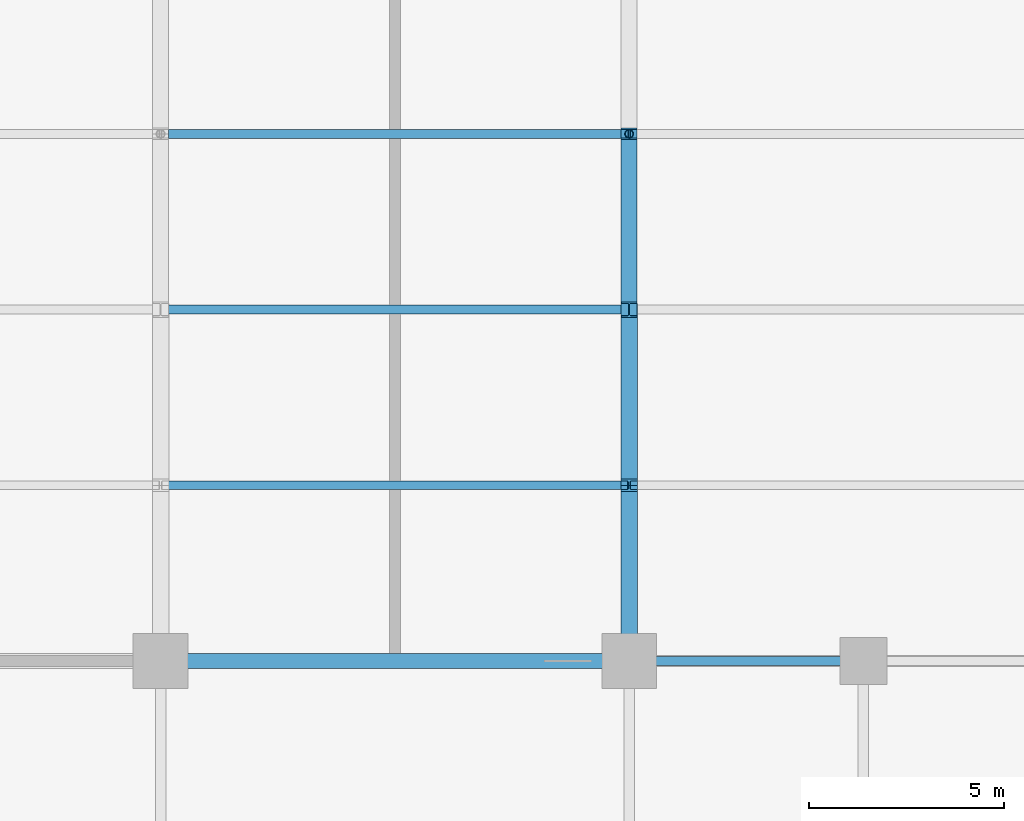
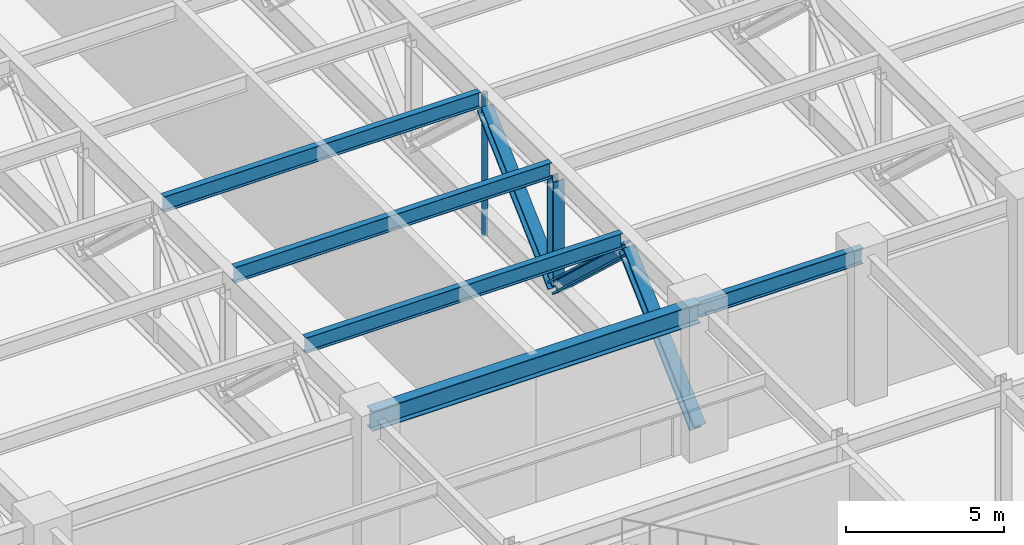
# One storey, part 32 of 108: 5 beams, 5 members.
"""IFC4 building model written with IfcOpenShell, lengths in metres."""

from ifc_helpers import new_model, si_unit, direction, frame, origin, origin_2d, place, context, subcontext, project, spatial, hollow_circle, i_section, extrude, material, material_profile, profile_set, type_object, element, save


model = new_model("IFC4")

# Units and contexts
model_context = context("Model", 3, precision=1e-05, world=origin(), true_north=direction((0.0, 1.0)))
body_context = subcontext(model_context, "Body", "Model", "MODEL_VIEW")
ifc_project = project(units=[si_unit("LENGTHUNIT", "METRE"), si_unit("AREAUNIT", "SQUARE_METRE"), si_unit("VOLUMEUNIT", "CUBIC_METRE"), si_unit("PLANEANGLEUNIT", "RADIAN"), si_unit("MASSUNIT", "GRAM", prefix="KILO")], contexts=[model_context])

# Site, building, storey
site_placement = place(None, origin())
site = spatial("IfcSite", under=ifc_project, at=site_placement, CompositionType="ELEMENT")
building_placement = place(site_placement, origin())
building = spatial("IfcBuilding", under=site, at=building_placement, Name="Kaldorvane Square Convention Centre", CompositionType="ELEMENT")
storey_placement = place(building_placement, frame((0.0, 0.0, 12.0)))
storey = spatial("IfcBuildingStorey", under=building, at=storey_placement, Name="L02", CompositionType="ELEMENT", Elevation=12.0)

# Beams
ifc_material_1 = material(Name="Steel ASTM A992 Gr. 50", Category="steel")
ifc_material_profile_1 = material_profile(ifc_material_1, i_section(OverallWidth=0.2303009033203125, OverallDepth=0.61749267578125, WebThickness=0.0131072998046875, FlangeThickness=0.0222015380859375, FilletRadius=0.0126953125, at=origin_2d()), Name="W24X94")
ifc_profile_set_1 = profile_set([ifc_material_profile_1], Name="Steel ASTM A992 Gr. 50")
beam_type_1 = type_object("IfcBeamType", Name="BM-GR-W24X94", PredefinedType="BEAM", material=ifc_profile_set_1)
beam_1_placement = place(storey_placement, frame((90.0, 18.0, 5.3372039794921875), z_axis=(1.0, 0.0, 0.0), x_axis=(0.0, 1.0, 0.0)))
element("IfcBeam", 1, at=beam_1_placement, inside=storey, type_object=beam_type_1, Name="Primary Girder (L02)", PredefinedType="BEAM", context=body_context, shape_type="SweptSolid", body=[
    extrude(i_section(OverallWidth=0.2303009033203125, OverallDepth=0.61749267578125, WebThickness=0.0131072998046875, FlangeThickness=0.0222015380859375, FilletRadius=0.0126953125, at=origin_2d()), origin(), (0.0, 0.0, 1.0), 6.0),
])
ifc_material_profile_2 = material_profile(ifc_material_1, i_section(OverallWidth=0.380706787109375, OverallDepth=0.773193359375, WebThickness=0.0166015625, FlangeThickness=0.027099609375, FilletRadius=0.0164947509765625, at=origin_2d()), Name="W30X173")
ifc_profile_set_2 = profile_set([ifc_material_profile_2], Name="Steel ASTM A992 Gr. 50")
beam_type_2 = type_object("IfcBeamType", Name="BM-GR-W30X173", PredefinedType="BEAM", material=ifc_profile_set_2)
beam_2_placement = place(storey_placement, frame((78.0, 18.0, 5.2593994140625), z_axis=(1.0, 0.0, 0.0), x_axis=(0.0, 1.0, 0.0)))
element("IfcBeam", 2, at=beam_2_placement, inside=storey, type_object=beam_type_2, Name="Primary Girder (L02)", PredefinedType="BEAM", context=body_context, shape_type="SweptSolid", body=[
    extrude(i_section(OverallWidth=0.380706787109375, OverallDepth=0.773193359375, WebThickness=0.0166015625, FlangeThickness=0.027099609375, FilletRadius=0.0164947509765625, at=origin_2d()), origin(), (0.0, 0.0, 1.0), 12.0),
])
ifc_material_profile_3 = material_profile(ifc_material_1, i_section(OverallWidth=0.2277069091796875, OverallDepth=0.6027069091796875, WebThickness=0.010498046875, FlangeThickness=0.014892578125, FilletRadius=0.0126953125, at=origin_2d()), Name="W24X68")
ifc_profile_set_3 = profile_set([ifc_material_profile_3], Name="Steel ASTM A992 Gr. 50")
beam_type_3 = type_object("IfcBeamType", Name="BM-JS-W24X68", PredefinedType="JOIST", material=ifc_profile_set_3)
for number, where, z_axis, x_axis, name in (
    (3, (78.20249938964844, 22.5, 5.3446044921875), (1.0, 0.0, 0.0), (0.0, 1.0, 0.0), "Hall Composite Floor Joist (L02)"),
    (4, (78.20249938964844, 27.0, 5.3446044921875), (1.0, 0.0, 0.0), (0.0, 1.0, 0.0), "Hall Composite Floor Joist (L02)"),
    (5, (78.20249938964844, 31.5, 5.3446044921875), (1.0, 0.0, 0.0), (0.0, 1.0, 0.0), "Hall Composite Floor Joist (L02)"),
):
    element("IfcBeam", number, at=place(storey_placement, frame(where, z_axis=z_axis, x_axis=x_axis)), inside=storey, type_object=beam_type_3, Name=name, PredefinedType="JOIST", context=body_context, shape_type="SweptSolid", body=[
        extrude(i_section(OverallWidth=0.2277069091796875, OverallDepth=0.6027069091796875, WebThickness=0.010498046875, FlangeThickness=0.014892578125, FilletRadius=0.0126953125, at=origin_2d()), origin(), (0.0, 0.0, 1.0), 11.592697143554688),
    ])

# Members
ifc_material_profile_4 = material_profile(ifc_material_1, i_section(OverallWidth=0.412200927734375, OverallDepth=0.4347991943359375, WebThickness=0.035797119140625, FlangeThickness=0.057403564453125, FilletRadius=0.0305023193359375, at=origin_2d()), Name="W14X311")
ifc_profile_set_4 = profile_set([ifc_material_profile_4], Name="Steel ASTM A992 Gr. 50")
member_type_1 = type_object("IfcMemberType", Name="MB-BR-W14X311", PredefinedType="BRACE", material=ifc_profile_set_4)
member_1_placement = place(storey_placement, frame((90.0, 27.0, 0.7299957275390625), z_axis=(0.0, 0.731436442842, 0.681909620172), x_axis=(-1.0, 0.0, 0.0)))
element("IfcMember", 6, at=member_1_placement, inside=storey, type_object=member_type_1, Name="Transfer Truss TT-06 Web Diagonal 2A", PredefinedType="BRACE", context=body_context, shape_type="SweptSolid", body=[
    extrude(i_section(OverallWidth=0.412200927734375, OverallDepth=0.4347991943359375, WebThickness=0.035797119140625, FlangeThickness=0.057403564453125, FilletRadius=0.0305023193359375, at=origin_2d()), origin(), (0.0, 0.0, 1.0), 6.15228271484375),
])
ifc_material_profile_5 = material_profile(ifc_material_1, i_section(OverallWidth=0.4214019775390625, OverallDepth=0.4647979736328125, WebThickness=0.0449981689453125, FlangeThickness=0.072296142578125, FilletRadius=0.0305023193359375, at=origin_2d()), Name="W14X398")
ifc_profile_set_5 = profile_set([ifc_material_profile_5], Name="Steel ASTM A992 Gr. 50")
member_type_2 = type_object("IfcMemberType", Name="MB-BR-W14X398", PredefinedType="BRACE", material=ifc_profile_set_5)
for number, where, z_axis, x_axis, name in (
    (7, (90.0, 18.0, 0.7299957275390625), (0.0, 0.731436442842, 0.681909620172), (-1.0, 0.0, 0.0), "Transfer Truss TT-06 Web Diagonal 1A"),
    (8, (90.0, 22.5, 4.92529296875), (0.0, 0.731436442842, -0.681909620172), (-1.0, 0.0, 0.0), "Transfer Truss TT-06 Web Diagonal 1B"),
):
    element("IfcMember", number, at=place(storey_placement, frame(where, z_axis=z_axis, x_axis=x_axis)), inside=storey, type_object=member_type_2, Name=name, PredefinedType="BRACE", context=body_context, shape_type="SweptSolid", body=[
        extrude(i_section(OverallWidth=0.4214019775390625, OverallDepth=0.4647979736328125, WebThickness=0.0449981689453125, FlangeThickness=0.072296142578125, FilletRadius=0.0305023193359375, at=origin_2d()), origin(), (0.0, 0.0, 1.0), 6.15228271484375),
    ])
ifc_material_2 = material(Name="Steel ASTM A500 Gr. C", Category="steel")
ifc_material_profile_6 = material_profile(ifc_material_2, hollow_circle(Radius=0.1095428466796875, WallThickness=0.0088958740234375, at=origin_2d()), Name="HSS8.625X0.375")
ifc_profile_set_6 = profile_set([ifc_material_profile_6], Name="Steel ASTM A500 Gr. C")
member_type_3 = type_object("IfcMemberType", Name="MB-PS-CHS8", PredefinedType="POST", material=ifc_profile_set_6)
member_2_placement = place(storey_placement, frame((90.0, 31.5, 0.0), z_axis=(0.0, 0.0, 1.0), x_axis=(1.0, 0.0, 0.0)))
element("IfcMember", 9, at=member_2_placement, inside=storey, type_object=member_type_3, Name="Plenum Structural Post 06", PredefinedType="POST", context=body_context, shape_type="SweptSolid", body=[
    extrude(hollow_circle(Radius=0.1095428466796875, WallThickness=0.0088958740234375, at=origin_2d()), origin(), (0.0, 0.0, 1.0), 5.5),
])
ifc_material_profile_7 = material_profile(ifc_material_1, i_section(OverallWidth=0.3990020751953125, OverallDepth=0.3932037353515625, WebThickness=0.0225982666015625, FlangeThickness=0.0366058349609375, FilletRadius=0.0305023193359375, at=origin_2d()), Name="W14X193")
ifc_profile_set_7 = profile_set([ifc_material_profile_7], Name="Steel ASTM A992 Gr. 50")
member_type_4 = type_object("IfcMemberType", Name="MB-PS-W14X193", PredefinedType="POST", material=ifc_profile_set_7)
member_3_placement = place(storey_placement, frame((90.0, 27.0, 1.0099945068359375), z_axis=(0.0, 0.0, 1.0), x_axis=(1.0, 0.0, 0.0)))
element("IfcMember", 10, at=member_3_placement, inside=storey, type_object=member_type_4, Name="Transfer Truss TT-06 Vertical Post 1", PredefinedType="POST", context=body_context, shape_type="SweptSolid", body=[
    extrude(i_section(OverallWidth=0.3990020751953125, OverallDepth=0.3932037353515625, WebThickness=0.0225982666015625, FlangeThickness=0.0366058349609375, FilletRadius=0.0305023193359375, at=origin_2d()), origin(), (0.0, 0.0, 1.0), 3.9152984619140625),
])

save(model, "model.ifc")
